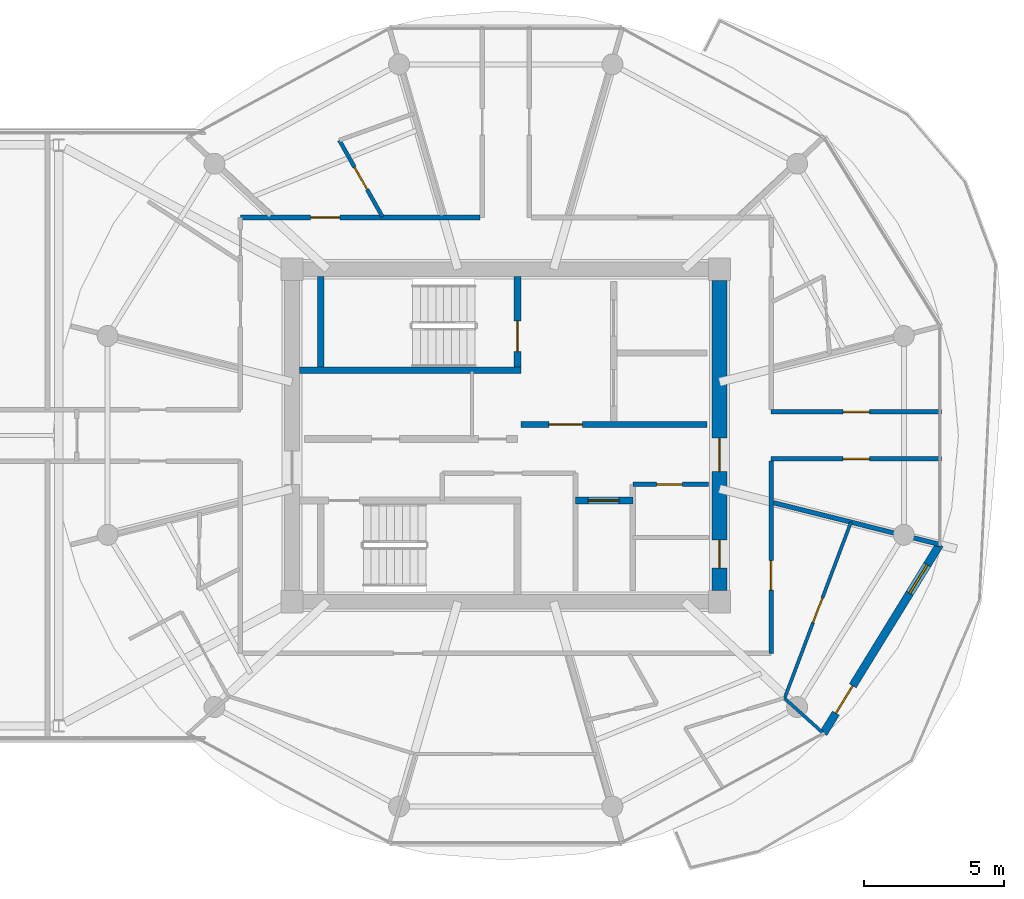
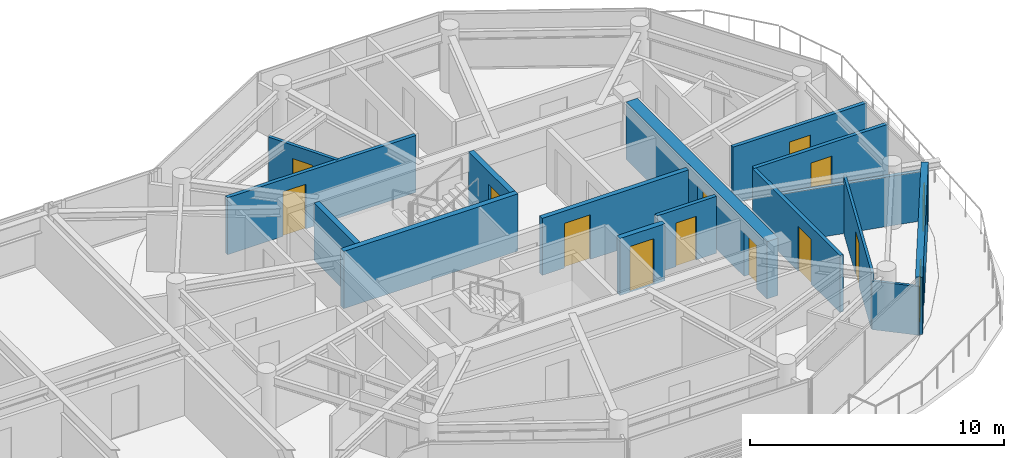
# One storey, part 19 of 23: 16 walls, 13 doors, 1 window, 14 openings.
"""IFC4 building model written with IfcOpenShell, lengths in metres."""

from ifc_helpers import new_model, si_unit, direction, frame, frame_2d, origin, place, context, subcontext, project, spatial, rectangle, extrude, source, transform, mapped, material, layer, layer_set, type_object, type_shapes, element, fill, save


model = new_model("IFC4")

# Units and contexts
model_context = context("Model", 3, precision=1e-05, world=origin(), true_north=direction((0.0, 1.0)))
body_context = subcontext(model_context, "Body", "Model", "MODEL_VIEW")
ifc_project = project(units=[si_unit("LENGTHUNIT", "METRE"), si_unit("AREAUNIT", "SQUARE_METRE"), si_unit("VOLUMEUNIT", "CUBIC_METRE"), si_unit("PLANEANGLEUNIT", "RADIAN"), si_unit("MASSUNIT", "GRAM", prefix="KILO")], contexts=[model_context])

# Site, building, storey
site_placement = place(None, origin())
site = spatial("IfcSite", under=ifc_project, at=site_placement, CompositionType="ELEMENT")
building_placement = place(site_placement, origin())
building = spatial("IfcBuilding", under=site, at=building_placement, Name="Norrkilde Senior Care Towers", CompositionType="ELEMENT")
storey_placement = place(building_placement, frame((0.0, 0.0, 207.800048828125)))
storey = spatial("IfcBuildingStorey", under=building, at=storey_placement, Name="L64", CompositionType="ELEMENT", Elevation=207.800048828125)

# Wall, openings, doors
ifc_material_1 = material(Name="Concrete C50/60", Category="concrete")
ifc_layer_1 = layer(ifc_material_1, 0.52001953125)
ifc_layer_set_1 = layer_set([ifc_layer_1], Name="Concrete C50/60")
wall_type_1 = type_object("IfcWallType", Name="Core Shear Wall Z4 520", PredefinedType="SHEAR", material=ifc_layer_set_1)
shared_shape_1 = source(origin(), body_context, "Body", "SweptSolid", [
    extrude(rectangle(XDim=11.10009765625, YDim=0.52001953125, at=frame_2d((5.550048828125, 0.0))), origin(), (0.0, 0.0, 1.0), 2.760009765625),
])
type_shapes(wall_type_1, [shared_shape_1])
wall_1_placement = place(storey_placement, frame((35.64990234375, 5.550048828125, 0.0), z_axis=(0.0, 0.0, 1.0), x_axis=(0.0, -1.0, 0.0)))
wall_1 = element("IfcWall", 1, at=wall_1_placement, inside=storey, type_object=wall_type_1, Name="L64 Core E East Shear Wall", PredefinedType="SHEAR", context=body_context, shape_type="MappedRepresentation", body=[
    mapped(shared_shape_1, transform((0.0, 0.0, 0.0), x_axis=(1.0, 0.0, 0.0), y_axis=(0.0, 1.0, 0.0), z_axis=(0.0, 0.0, 1.0), scale=1.0)),
])
opening_1_placement = place(wall_1_placement, frame((5.64990234375, 0.0, 0.0)))
opening_1 = element("IfcOpeningElement", 2, at=opening_1_placement, cuts=wall_1, Name="Opening D-04", PredefinedType="OPENING", context=body_context, shape_type="SweptSolid", body=[
    extrude(rectangle(XDim=1.199951171875, YDim=2.14990234375, at=frame_2d((0.60009765625, 1.074951171875))), frame((0.0, 0.27001953125, 0.0), z_axis=(0.0, -1.0, 0.0), x_axis=(1.0, 0.0, 0.0)), (0.0, 0.0, 1.0), 0.5400390625),
])
opening_2_placement = place(wall_1_placement, frame((9.300048828125, 0.0, 0.0)))
opening_2 = element("IfcOpeningElement", 3, at=opening_2_placement, cuts=wall_1, Name="Opening D-10", PredefinedType="OPENING", context=body_context, shape_type="SweptSolid", body=[
    extrude(rectangle(XDim=1.0, YDim=2.10009765625, at=frame_2d((0.5, 1.050048828125))), frame((0.0, 0.27001953125, 0.0), z_axis=(0.0, -1.0, 0.0), x_axis=(1.0, 0.0, 0.0)), (0.0, 0.0, 1.0), 0.5400390625),
])
ifc_material_2 = material(Name="Galvanised Painted Steel", Category="steel")
door_type_1 = type_object("IfcDoorType", Name="Firefighting Lobby Fire Door 1200x2150", OperationType="NOTDEFINED", PredefinedType="DOOR", material=ifc_material_2)
shared_shape_2 = source(origin(), body_context, "Body", "SweptSolid", [
    extrude(rectangle(XDim=1.199951171875, YDim=2.14990234375, at=frame_2d((0.60009765625, 1.074951171875))), frame((0.0, 0.02490234375, 0.0), z_axis=(0.0, -1.0, 0.0), x_axis=(1.0, 0.0, 0.0)), (0.0, 0.0, 1.0), 0.050048828125),
])
type_shapes(door_type_1, [shared_shape_2])
door_1_placement = place(opening_1_placement, frame((1.199951171875, 0.0, 0.0), z_axis=(0.0, 0.0, 1.0), x_axis=(-1.0, 0.0, 0.0)))
door_1 = element("IfcDoor", 4, at=door_1_placement, inside=storey, type_object=door_type_1, Name="L64 Core E East Portal Door", OperationType="SINGLE_SWING_RIGHT", OverallHeight=2.14990234375, OverallWidth=1.199951171875, PredefinedType="DOOR", context=body_context, shape_type="MappedRepresentation", body=[
    mapped(shared_shape_2, transform((0.0, 0.0, 0.0), x_axis=(1.0, 0.0, 0.0), y_axis=(0.0, 1.0, 0.0), z_axis=(0.0, 0.0, 1.0), scale=1.0)),
])
fill(opening_1, door_1)
door_type_2 = type_object("IfcDoorType", Name="Plant and Riser Rated Door 1000x2100", OperationType="NOTDEFINED", PredefinedType="DOOR", material=ifc_material_2)
shared_shape_3 = source(origin(), body_context, "Body", "SweptSolid", [
    extrude(rectangle(XDim=1.0, YDim=2.10009765625, at=frame_2d((0.5, 1.050048828125))), frame((0.0, 0.02490234375, 0.0), z_axis=(0.0, -1.0, 0.0), x_axis=(1.0, 0.0, 0.0)), (0.0, 0.0, 1.0), 0.050048828125),
])
type_shapes(door_type_2, [shared_shape_3])
door_2_placement = place(opening_2_placement, frame((1.0, 0.0, 0.0), z_axis=(0.0, 0.0, 1.0), x_axis=(-1.0, 0.0, 0.0)))
door_2 = element("IfcDoor", 5, at=door_2_placement, inside=storey, type_object=door_type_2, Name="L64 Ventilation Riser E Door", OperationType="SINGLE_SWING_RIGHT", OverallHeight=2.10009765625, OverallWidth=1.0, PredefinedType="DOOR", context=body_context, shape_type="MappedRepresentation", body=[
    mapped(shared_shape_3, transform((0.0, 0.0, 0.0), x_axis=(1.0, 0.0, 0.0), y_axis=(0.0, 1.0, 0.0), z_axis=(0.0, 0.0, 1.0), scale=1.0)),
])
fill(opening_2, door_2)

# Wall, openings, door, window
ifc_material_3 = material(Name="Precast concrete C45/55", Category="concrete")
ifc_layer_2 = layer(ifc_material_3, 0.2900390625)
ifc_layer_set_2 = layer_set([ifc_layer_2], Name="Precast concrete C45/55")
wall_type_2 = type_object("IfcWallType", Name="Winter Garden Facade Wall 290", PredefinedType="SOLIDWALL", material=ifc_layer_set_2)
shared_shape_4 = source(origin(), body_context, "Body", "SweptSolid", [
    extrude(rectangle(XDim=7.938232421875, YDim=0.2900390625, at=frame_2d((3.96923828125, 0.0))), origin(), (0.0, 0.0, 1.0), 2.760009765625),
])
type_shapes(wall_type_2, [shared_shape_4])
wall_2_placement = place(storey_placement, frame((43.531982421875, -3.903076171875, 0.0), z_axis=(0.0, 0.0, 1.0), x_axis=(-0.524244987663, -0.851567491694, 0.0)))
wall_2 = element("IfcWall", 6, at=wall_2_placement, inside=storey, type_object=wall_type_2, Name="L64 Drum E Balcony Access Wall 10", PredefinedType="SOLIDWALL", context=body_context, shape_type="MappedRepresentation", body=[
    mapped(shared_shape_4, transform((0.0, 0.0, 0.0), x_axis=(1.0, 0.0, 0.0), y_axis=(0.0, 1.0, 0.0), z_axis=(0.0, 0.0, 1.0), scale=1.0)),
])
opening_3_placement = place(wall_2_placement, frame((5.93994140625, 0.0, 0.0)))
opening_3 = element("IfcOpeningElement", 7, at=opening_3_placement, cuts=wall_2, Name="Opening D-09", PredefinedType="OPENING", context=body_context, shape_type="SweptSolid", body=[
    extrude(rectangle(XDim=1.14990234375, YDim=2.25, at=frame_2d((0.574951171875, 1.125))), frame((0.0, 0.155029296875, 0.0), z_axis=(0.0, -1.0, 0.0), x_axis=(1.0, 0.0, 0.0)), (0.0, 0.0, 1.0), 0.31005859375),
])
opening_4_placement = place(wall_2_placement, frame((0.85009765625, 0.0, 0.85009765625)))
opening_4 = element("IfcOpeningElement", 8, at=opening_4_placement, cuts=wall_2, Name="Opening WN-07", PredefinedType="OPENING", context=body_context, shape_type="SweptSolid", body=[
    extrude(rectangle(XDim=1.199951171875, YDim=1.5, at=frame_2d((0.60009765625, 0.75))), frame((0.0, 0.155029296875, 0.0), z_axis=(0.0, -1.0, 0.0), x_axis=(1.0, 0.0, 0.0)), (0.0, 0.0, 1.0), 0.31005859375),
])
ifc_material_4 = material(Name="Anodised Aluminium", Category="aluminium")
door_type_3 = type_object("IfcDoorType", Name="Terrace and Balcony Glazed Door 1150x2250", OperationType="NOTDEFINED", PredefinedType="DOOR", material=ifc_material_4)
shared_shape_5 = source(origin(), body_context, "Body", "SweptSolid", [
    extrude(rectangle(XDim=1.14990234375, YDim=2.25, at=frame_2d((0.574951171875, 1.125))), frame((0.0, 0.02490234375, 0.0), z_axis=(0.0, -1.0, 0.0), x_axis=(1.0, 0.0, 0.0)), (0.0, 0.0, 1.0), 0.050048828125),
])
type_shapes(door_type_3, [shared_shape_5])
door_3_placement = place(opening_3_placement, origin())
door_3 = element("IfcDoor", 9, at=door_3_placement, inside=storey, type_object=door_type_3, Name="L64 Drum E Outdoor Terrace Door 10", OperationType="SINGLE_SWING_LEFT", OverallHeight=2.25, OverallWidth=1.14990234375, PredefinedType="DOOR", context=body_context, shape_type="MappedRepresentation", body=[
    mapped(shared_shape_5, transform((0.0, 0.0, 0.0), x_axis=(1.0, 0.0, 0.0), y_axis=(0.0, 1.0, 0.0), z_axis=(0.0, 0.0, 1.0), scale=1.0)),
])
fill(opening_3, door_3)
ifc_material_5 = material(Name="Triple Low-E Insulated Glazing", Category="glass")
window_type = type_object("IfcWindowType", Name="Stairwell Smoke Vent Window 1200x1500", PartitioningType="SINGLE_PANEL", PredefinedType="WINDOW", material=ifc_material_5)
shared_shape_6 = source(origin(), body_context, "Body", "SweptSolid", [
    extrude(rectangle(XDim=1.199951171875, YDim=1.5, at=frame_2d((0.60009765625, 0.75))), frame((0.0, 0.030029296875, 0.0), z_axis=(0.0, -1.0, 0.0), x_axis=(1.0, 0.0, 0.0)), (0.0, 0.0, 1.0), 0.06005859375),
])
type_shapes(window_type, [shared_shape_6])
window_placement = place(opening_4_placement, origin())
window = element("IfcWindow", 10, at=window_placement, inside=storey, type_object=window_type, Name="L64 Drum E Winter Garden Window 10", OverallHeight=1.5, OverallWidth=1.199951171875, PartitioningType="SINGLE_PANEL", PredefinedType="WINDOW", context=body_context, shape_type="MappedRepresentation", body=[
    mapped(shared_shape_6, transform((0.0, 0.0, 0.0), x_axis=(1.0, 0.0, 0.0), y_axis=(0.0, 1.0, 0.0), z_axis=(0.0, 0.0, 1.0), scale=1.0)),
])
fill(opening_4, window)

# Walls
ifc_material_6 = material(Name="Concrete C45/55", Category="concrete")
ifc_layer_3 = layer(ifc_material_6, 0.239990234375)
ifc_layer_set_3 = layer_set([ifc_layer_3], Name="Concrete C45/55")
wall_type_3 = type_object("IfcWallType", Name="Shaft and Stair Enclosure Wall 240", PredefinedType="PARTITIONING", material=ifc_layer_set_3)
shared_shape_7 = source(origin(), body_context, "Body", "SweptSolid", [
    extrude(rectangle(XDim=7.929931640625, YDim=0.239990234375, at=frame_2d((3.96484375, 0.0))), origin(), (0.0, 0.0, 1.0), 2.760009765625),
])
wall_3_placement = place(storey_placement, frame((20.610107421875, 2.330078125, 0.0), z_axis=(0.0, 0.0, 1.0), x_axis=(1.0, 0.0, 0.0)))
element("IfcWall", 11, at=wall_3_placement, inside=storey, type_object=wall_type_3, Name="WL-INT-L64-E-ST1S", PredefinedType="PARTITIONING", context=body_context, shape_type="MappedRepresentation", body=[
    mapped(shared_shape_7, transform((0.0, 0.0, 0.0), x_axis=(1.0, 0.0, 0.0), y_axis=(0.0, 1.0, 0.0), z_axis=(0.0, 0.0, 1.0), scale=1.0)),
])
shared_shape_8 = source(origin(), body_context, "Body", "SweptSolid", [
    extrude(rectangle(XDim=3.239990234375, YDim=0.239990234375, at=frame_2d((1.6201171875, 0.0))), origin(), (0.0, 0.0, 1.0), 2.760009765625),
])
type_shapes(wall_type_3, [shared_shape_7, shared_shape_8])
wall_4_placement = place(storey_placement, frame((21.3798828125, 2.449951171875, 0.0), z_axis=(0.0, 0.0, 1.0), x_axis=(0.0, 1.0, 0.0)))
element("IfcWall", 12, at=wall_4_placement, inside=storey, type_object=wall_type_3, Name="WL-INT-L64-E-ST1W", PredefinedType="PARTITIONING", context=body_context, shape_type="MappedRepresentation", body=[
    mapped(shared_shape_8, transform((0.0, 0.0, 0.0), x_axis=(1.0, 0.0, 0.0), y_axis=(0.0, 1.0, 0.0), z_axis=(0.0, 0.0, 1.0), scale=1.0)),
])

# Wall, opening, door
wall_5_placement = place(storey_placement, frame((28.419921875, 2.449951171875, 0.0), z_axis=(0.0, 0.0, 1.0), x_axis=(0.0, 1.0, 0.0)))
wall_5 = element("IfcWall", 13, at=wall_5_placement, inside=storey, type_object=wall_type_3, Name="WL-INT-L64-E-ST1E", PredefinedType="PARTITIONING", context=body_context, shape_type="MappedRepresentation", body=[
    mapped(shared_shape_8, transform((0.0, 0.0, 0.0), x_axis=(1.0, 0.0, 0.0), y_axis=(0.0, 1.0, 0.0), z_axis=(0.0, 0.0, 1.0), scale=1.0)),
])
opening_5_placement = place(wall_5_placement, frame((0.550048828125, 0.0, 0.0)))
opening_5 = element("IfcOpeningElement", 14, at=opening_5_placement, cuts=wall_5, Name="Opening D-03", PredefinedType="OPENING", context=body_context, shape_type="SweptSolid", body=[
    extrude(rectangle(XDim=1.10009765625, YDim=2.14990234375, at=frame_2d((0.550048828125, 1.074951171875))), frame((0.0, 0.1298828125, 0.0), z_axis=(0.0, -1.0, 0.0), x_axis=(1.0, 0.0, 0.0)), (0.0, 0.0, 1.0), 0.260009765625),
])
door_type_4 = type_object("IfcDoorType", Name="Stairwell Protected Fire Door 1100x2150", OperationType="NOTDEFINED", PredefinedType="DOOR", material=ifc_material_2)
shared_shape_9 = source(origin(), body_context, "Body", "SweptSolid", [
    extrude(rectangle(XDim=1.10009765625, YDim=2.14990234375, at=frame_2d((0.550048828125, 1.074951171875))), frame((0.0, 0.02490234375, 0.0), z_axis=(0.0, -1.0, 0.0), x_axis=(1.0, 0.0, 0.0)), (0.0, 0.0, 1.0), 0.050048828125),
])
type_shapes(door_type_4, [shared_shape_9])
door_4_placement = place(opening_5_placement, origin())
door_4 = element("IfcDoor", 15, at=door_4_placement, inside=storey, type_object=door_type_4, Name="L64 Stair E1 Fire Door", OperationType="SINGLE_SWING_LEFT", OverallHeight=2.14990234375, OverallWidth=1.10009765625, PredefinedType="DOOR", context=body_context, shape_type="MappedRepresentation", body=[
    mapped(shared_shape_9, transform((0.0, 0.0, 0.0), x_axis=(1.0, 0.0, 0.0), y_axis=(0.0, 1.0, 0.0), z_axis=(0.0, 0.0, 1.0), scale=1.0)),
])
fill(opening_5, door_4)

ifc_layer_4 = layer(ifc_material_6, 0.2099609375)
ifc_layer_set_4 = layer_set([ifc_layer_4], Name="Concrete C45/55")
wall_type_4 = type_object("IfcWallType", Name="Firefighting Lobby Wall 210", PredefinedType="PARTITIONING", material=ifc_layer_set_4)
shared_shape_10 = source(origin(), body_context, "Body", "SweptSolid", [
    extrude(rectangle(XDim=6.659912109375, YDim=0.2099609375, at=frame_2d((3.330078125, 0.0))), origin(), (0.0, 0.0, 1.0), 2.744873046875),
])
type_shapes(wall_type_4, [shared_shape_10])
wall_6_placement = place(storey_placement, frame((28.5400390625, 0.389892578125, 0.0), z_axis=(0.0, 0.0, 1.0), x_axis=(1.0, 0.0, 0.0)))
wall_6 = element("IfcWall", 16, at=wall_6_placement, inside=storey, type_object=wall_type_4, Name="WL-INT-L64-E-FFLS", PredefinedType="PARTITIONING", context=body_context, shape_type="MappedRepresentation", body=[
    mapped(shared_shape_10, transform((0.0, 0.0, 0.0), x_axis=(1.0, 0.0, 0.0), y_axis=(0.0, 1.0, 0.0), z_axis=(0.0, 0.0, 1.0), scale=1.0)),
])
opening_6_placement = place(wall_6_placement, frame((1.0, 0.0, 0.0)))
opening_6 = element("IfcOpeningElement", 17, at=opening_6_placement, cuts=wall_6, Name="Opening D-04", PredefinedType="OPENING", context=body_context, shape_type="SweptSolid", body=[
    extrude(rectangle(XDim=1.199951171875, YDim=2.14990234375, at=frame_2d((0.60009765625, 1.074951171875))), frame((0.0, 0.114990234375, 0.0), z_axis=(0.0, -1.0, 0.0), x_axis=(1.0, 0.0, 0.0)), (0.0, 0.0, 1.0), 0.22998046875),
])
door_5_placement = place(opening_6_placement, frame((1.199951171875, 0.0, 0.0), z_axis=(0.0, 0.0, 1.0), x_axis=(-1.0, 0.0, 0.0)))
door_5 = element("IfcDoor", 18, at=door_5_placement, inside=storey, type_object=door_type_1, Name="L64 Firefighting Lobby E Door", OperationType="SINGLE_SWING_LEFT", OverallHeight=2.14990234375, OverallWidth=1.199951171875, PredefinedType="DOOR", context=body_context, shape_type="MappedRepresentation", body=[
    mapped(shared_shape_2, transform((0.0, 0.0, 0.0), x_axis=(1.0, 0.0, 0.0), y_axis=(0.0, 1.0, 0.0), z_axis=(0.0, 0.0, 1.0), scale=1.0)),
])
fill(opening_6, door_5)

ifc_layer_5 = layer(ifc_material_6, 0.239990234375)
ifc_layer_set_5 = layer_set([ifc_layer_5], Name="Concrete C45/55")
wall_type_5 = type_object("IfcWallType", Name="Lift and Plant Rated Enclosure Partition 240", PredefinedType="PARTITIONING", material=ifc_layer_set_5)
shared_shape_11 = source(origin(), body_context, "Body", "SweptSolid", [
    extrude(rectangle(XDim=2.050048828125, YDim=0.239990234375, at=frame_2d((1.02490234375, 0.0))), origin(), (0.0, 0.0, 1.0), 2.744873046875),
])
type_shapes(wall_type_5, [shared_shape_11])
wall_7_placement = place(storey_placement, frame((30.5, -2.330078125, 0.0), z_axis=(0.0, 0.0, 1.0), x_axis=(1.0, 0.0, 0.0)))
wall_7 = element("IfcWall", 19, at=wall_7_placement, inside=storey, type_object=wall_type_5, Name="WL-INT-L64-E-PL4N", PredefinedType="PARTITIONING", context=body_context, shape_type="MappedRepresentation", body=[
    mapped(shared_shape_11, transform((0.0, 0.0, 0.0), x_axis=(1.0, 0.0, 0.0), y_axis=(0.0, 1.0, 0.0), z_axis=(0.0, 0.0, 1.0), scale=1.0)),
])
opening_7_placement = place(wall_7_placement, frame((0.449951171875, 0.0, 0.0)))
opening_7 = element("IfcOpeningElement", 20, at=opening_7_placement, cuts=wall_7, Name="Opening LD-01", PredefinedType="OPENING", context=body_context, shape_type="SweptSolid", body=[
    extrude(rectangle(XDim=1.10009765625, YDim=2.199951171875, at=frame_2d((0.550048828125, 1.10009765625))), frame((0.0, 0.1298828125, 0.0), z_axis=(0.0, -1.0, 0.0), x_axis=(1.0, 0.0, 0.0)), (0.0, 0.0, 1.0), 0.260009765625),
])
ifc_material_7 = material(Name="Stainless Steel", Category="steel")
door_type_5 = type_object("IfcDoorType", Name="Lift Landing Sliding Door 1100x2200", OperationType="NOTDEFINED", PredefinedType="DOOR", material=ifc_material_7)
shared_shape_12 = source(origin(), body_context, "Body", "SweptSolid", [
    extrude(rectangle(XDim=1.10009765625, YDim=2.199951171875, at=frame_2d((0.550048828125, 1.10009765625))), frame((0.0, 0.02490234375, 0.0), z_axis=(0.0, -1.0, 0.0), x_axis=(1.0, 0.0, 0.0)), (0.0, 0.0, 1.0), 0.050048828125),
])
type_shapes(door_type_5, [shared_shape_12])
door_6_placement = place(opening_7_placement, frame((1.10009765625, 0.0, 0.0), z_axis=(0.0, 0.0, 1.0), x_axis=(-1.0, 0.0, 0.0)))
door_6 = element("IfcDoor", 21, at=door_6_placement, inside=storey, type_object=door_type_5, Name="L64 Passenger Lift E4 Landing Door", OperationType="SLIDING_TO_RIGHT", OverallHeight=2.199951171875, OverallWidth=1.10009765625, PredefinedType="DOOR", context=body_context, shape_type="MappedRepresentation", body=[
    mapped(shared_shape_12, transform((0.0, 0.0, 0.0), x_axis=(1.0, 0.0, 0.0), y_axis=(0.0, 1.0, 0.0), z_axis=(0.0, 0.0, 1.0), scale=1.0)),
])
fill(opening_7, door_6)

ifc_material_8 = material(Name="Gypsum Acoustic Board")
ifc_layer_6 = layer(ifc_material_8, 0.1650390625)
ifc_layer_set_6 = layer_set([ifc_layer_6], Name="Gypsum Acoustic Board")
wall_type_6 = type_object("IfcWallType", Name="Corridor Rated Partition 165", PredefinedType="PARTITIONING", material=ifc_layer_set_6)
shared_shape_13 = source(origin(), body_context, "Body", "SweptSolid", [
    extrude(rectangle(XDim=2.699951171875, YDim=0.1650390625, at=frame_2d((1.35009765625, 0.0))), origin(), (0.0, 0.0, 1.0), 2.744873046875),
])
wall_8_placement = place(storey_placement, frame((32.550048828125, -1.75, 0.0), z_axis=(0.0, 0.0, 1.0), x_axis=(1.0, 0.0, 0.0)))
wall_8 = element("IfcWall", 22, at=wall_8_placement, inside=storey, type_object=wall_type_6, Name="WL-INT-L64-E-CSN", PredefinedType="PARTITIONING", context=body_context, shape_type="MappedRepresentation", body=[
    mapped(shared_shape_13, transform((0.0, 0.0, 0.0), x_axis=(1.0, 0.0, 0.0), y_axis=(0.0, 1.0, 0.0), z_axis=(0.0, 0.0, 1.0), scale=1.0)),
])
opening_8_placement = place(wall_8_placement, frame((0.85009765625, 0.0, 0.0)))
opening_8 = element("IfcOpeningElement", 23, at=opening_8_placement, cuts=wall_8, Name="Opening D-12", PredefinedType="OPENING", context=body_context, shape_type="SweptSolid", body=[
    extrude(rectangle(XDim=0.925048828125, YDim=2.10009765625, at=frame_2d((0.46240234375, 1.050048828125))), frame((0.0, 0.092529296875, 0.0), z_axis=(0.0, -1.0, 0.0), x_axis=(1.0, 0.0, 0.0)), (0.0, 0.0, 1.0), 0.18505859375),
])
door_type_6 = type_object("IfcDoorType", Name="Core Wet Room Rated Door 925x2100", OperationType="NOTDEFINED", PredefinedType="DOOR", material=ifc_material_2)
shared_shape_14 = source(origin(), body_context, "Body", "SweptSolid", [
    extrude(rectangle(XDim=0.925048828125, YDim=2.10009765625, at=frame_2d((0.46240234375, 1.050048828125))), frame((0.0, 0.02490234375, 0.0), z_axis=(0.0, -1.0, 0.0), x_axis=(1.0, 0.0, 0.0)), (0.0, 0.0, 1.0), 0.050048828125),
])
type_shapes(door_type_6, [shared_shape_14])
door_7_placement = place(opening_8_placement, origin())
door_7 = element("IfcDoor", 24, at=door_7_placement, inside=storey, type_object=door_type_6, Name="L64 Staff WC E Door", OperationType="SINGLE_SWING_LEFT", OverallHeight=2.10009765625, OverallWidth=0.925048828125, PredefinedType="DOOR", context=body_context, shape_type="MappedRepresentation", body=[
    mapped(shared_shape_14, transform((0.0, 0.0, 0.0), x_axis=(1.0, 0.0, 0.0), y_axis=(0.0, 1.0, 0.0), z_axis=(0.0, 0.0, 1.0), scale=1.0)),
])
fill(opening_8, door_7)

shared_shape_15 = source(origin(), body_context, "Body", "SweptSolid", [
    extrude(rectangle(XDim=8.580078125, YDim=0.1650390625, at=frame_2d((4.2900390625, 0.0))), origin(), (0.0, 0.0, 1.0), 2.744873046875),
])
wall_9_placement = place(storey_placement, frame((18.5, 7.800048828125, 0.0), z_axis=(0.0, 0.0, 1.0), x_axis=(1.0, 0.0, 0.0)))
wall_9 = element("IfcWall", 25, at=wall_9_placement, inside=storey, type_object=wall_type_6, Name="WL-INT-L64-E-CRW-N-0", PredefinedType="PARTITIONING", context=body_context, shape_type="MappedRepresentation", body=[
    mapped(shared_shape_15, transform((0.0, 0.0, 0.0), x_axis=(1.0, 0.0, 0.0), y_axis=(0.0, 1.0, 0.0), z_axis=(0.0, 0.0, 1.0), scale=1.0)),
])
opening_9_placement = place(wall_9_placement, frame((2.5146484375, 0.0, 0.0)))
opening_9 = element("IfcOpeningElement", 26, at=opening_9_placement, cuts=wall_9, Name="Opening D-06", PredefinedType="OPENING", context=body_context, shape_type="SweptSolid", body=[
    extrude(rectangle(XDim=1.050048828125, YDim=2.14990234375, at=frame_2d((0.52490234375, 1.074951171875))), frame((0.0, 0.092529296875, 0.0), z_axis=(0.0, -1.0, 0.0), x_axis=(1.0, 0.0, 0.0)), (0.0, 0.0, 1.0), 0.18505859375),
])
ifc_material_9 = material(Name="Nordic Ash Timber", Category="wood")
door_type_7 = type_object("IfcDoorType", Name="Apartment Entrance Fire Door 1050x2150", OperationType="NOTDEFINED", PredefinedType="DOOR", material=ifc_material_9)
shared_shape_16 = source(origin(), body_context, "Body", "SweptSolid", [
    extrude(rectangle(XDim=1.050048828125, YDim=2.14990234375, at=frame_2d((0.52490234375, 1.074951171875))), frame((0.0, 0.02490234375, 0.0), z_axis=(0.0, -1.0, 0.0), x_axis=(1.0, 0.0, 0.0)), (0.0, 0.0, 1.0), 0.050048828125),
])
type_shapes(door_type_7, [shared_shape_16])
door_8_placement = place(opening_9_placement, frame((1.050048828125, 0.0, 0.0), z_axis=(0.0, 0.0, 1.0), x_axis=(-1.0, 0.0, 0.0)))
door_8 = element("IfcDoor", 27, at=door_8_placement, inside=storey, type_object=door_type_7, Name="L64 Studio 64C Entrance Door", OperationType="SINGLE_SWING_LEFT", OverallHeight=2.14990234375, OverallWidth=1.050048828125, PredefinedType="DOOR", context=body_context, shape_type="MappedRepresentation", body=[
    mapped(shared_shape_16, transform((0.0, 0.0, 0.0), x_axis=(1.0, 0.0, 0.0), y_axis=(0.0, 1.0, 0.0), z_axis=(0.0, 0.0, 1.0), scale=1.0)),
])
fill(opening_9, door_8)

shared_shape_17 = source(origin(), body_context, "Body", "SweptSolid", [
    extrude(rectangle(XDim=6.880126953125, YDim=0.1650390625, at=frame_2d((3.43994140625, 0.0))), origin(), (0.0, 0.0, 1.0), 2.744873046875),
])
wall_10_placement = place(storey_placement, frame((37.5, -0.919921875, 0.0), z_axis=(0.0, 0.0, 1.0), x_axis=(0.0, -1.0, 0.0)))
wall_10 = element("IfcWall", 28, at=wall_10_placement, inside=storey, type_object=wall_type_6, Name="WL-INT-L64-E-CRW-E-1", PredefinedType="PARTITIONING", context=body_context, shape_type="MappedRepresentation", body=[
    mapped(shared_shape_17, transform((0.0, 0.0, 0.0), x_axis=(1.0, 0.0, 0.0), y_axis=(0.0, 1.0, 0.0), z_axis=(0.0, 0.0, 1.0), scale=1.0)),
])
opening_10_placement = place(wall_10_placement, frame((3.564208984375, 0.0, 0.0)))
opening_10 = element("IfcOpeningElement", 29, at=opening_10_placement, cuts=wall_10, Name="Opening D-06", PredefinedType="OPENING", context=body_context, shape_type="SweptSolid", body=[
    extrude(rectangle(XDim=1.050048828125, YDim=2.14990234375, at=frame_2d((0.52490234375, 1.074951171875))), frame((0.0, 0.092529296875, 0.0), z_axis=(0.0, -1.0, 0.0), x_axis=(1.0, 0.0, 0.0)), (0.0, 0.0, 1.0), 0.18505859375),
])
door_9_placement = place(opening_10_placement, frame((1.050048828125, 0.0, 0.0), z_axis=(0.0, 0.0, 1.0), x_axis=(-1.0, 0.0, 0.0)))
door_9 = element("IfcDoor", 30, at=door_9_placement, inside=storey, type_object=door_type_7, Name="Apartment 64F Entrance Door", OperationType="SINGLE_SWING_RIGHT", OverallHeight=2.14990234375, OverallWidth=1.050048828125, PredefinedType="DOOR", context=body_context, shape_type="MappedRepresentation", body=[
    mapped(shared_shape_16, transform((0.0, 0.0, 0.0), x_axis=(1.0, 0.0, 0.0), y_axis=(0.0, 1.0, 0.0), z_axis=(0.0, 0.0, 1.0), scale=1.0)),
])
fill(opening_10, door_9)

# Wall
shared_shape_18 = source(origin(), body_context, "Body", "SweptSolid", [
    extrude(rectangle(XDim=6.1572265625, YDim=0.1650390625, at=frame_2d((3.07861328125, 0.0))), origin(), (0.0, 0.0, 1.0), 2.385009765625),
])
wall_11_placement = place(storey_placement, frame((37.580078125, -2.407470703125, 0.0), z_axis=(0.0, 0.0, 1.0), x_axis=(0.969840867184, -0.243738984038, 0.0)))
element("IfcWall", 31, at=wall_11_placement, inside=storey, type_object=wall_type_6, Name="WL-INT-L64-E-DEM-11-0", PredefinedType="PARTITIONING", context=body_context, shape_type="MappedRepresentation", body=[
    mapped(shared_shape_18, transform((0.0, 0.0, 0.0), x_axis=(1.0, 0.0, 0.0), y_axis=(0.0, 1.0, 0.0), z_axis=(0.0, 0.0, 1.0), scale=1.0)),
])

# Wall, opening, door
shared_shape_19 = source(origin(), body_context, "Body", "SweptSolid", [
    extrude(rectangle(XDim=6.101318359375, YDim=0.1650390625, at=frame_2d((3.05078125, 0.0))), origin(), (0.0, 0.0, 1.0), 2.744873046875),
])
type_shapes(wall_type_6, [shared_shape_13, shared_shape_15, shared_shape_17, shared_shape_18, shared_shape_19])
wall_12_placement = place(storey_placement, frame((37.5, 0.840087890625, 0.0), z_axis=(0.0, 0.0, 1.0), x_axis=(1.0, 0.0, 0.0)))
wall_12 = element("IfcWall", 32, at=wall_12_placement, inside=storey, type_object=wall_type_6, Name="WL-INT-L64-E-SPK-E1-0", PredefinedType="PARTITIONING", context=body_context, shape_type="MappedRepresentation", body=[
    mapped(shared_shape_19, transform((0.0, 0.0, 0.0), x_axis=(1.0, 0.0, 0.0), y_axis=(0.0, 1.0, 0.0), z_axis=(0.0, 0.0, 1.0), scale=1.0)),
])
opening_11_placement = place(wall_12_placement, frame((2.57568359375, 0.0, 0.0)))
opening_11 = element("IfcOpeningElement", 33, at=opening_11_placement, cuts=wall_12, Name="Opening D-07", PredefinedType="OPENING", context=body_context, shape_type="SweptSolid", body=[
    extrude(rectangle(XDim=0.949951171875, YDim=2.10009765625, at=frame_2d((0.47509765625, 1.050048828125))), frame((0.0, 0.092529296875, 0.0), z_axis=(0.0, -1.0, 0.0), x_axis=(1.0, 0.0, 0.0)), (0.0, 0.0, 1.0), 0.18505859375),
])
door_type_8 = type_object("IfcDoorType", Name="Internal Suite Bedroom Door 950x2100", OperationType="NOTDEFINED", PredefinedType="DOOR", material=ifc_material_9)
shared_shape_20 = source(origin(), body_context, "Body", "SweptSolid", [
    extrude(rectangle(XDim=0.949951171875, YDim=2.10009765625, at=frame_2d((0.47509765625, 1.050048828125))), frame((0.0, 0.02490234375, 0.0), z_axis=(0.0, -1.0, 0.0), x_axis=(1.0, 0.0, 0.0)), (0.0, 0.0, 1.0), 0.050048828125),
])
type_shapes(door_type_8, [shared_shape_20])
door_10_placement = place(opening_11_placement, frame((0.949951171875, 0.0, 0.0), z_axis=(0.0, 0.0, 1.0), x_axis=(-1.0, 0.0, 0.0)))
door_10 = element("IfcDoor", 34, at=door_10_placement, inside=storey, type_object=door_type_8, Name="L64 Sun Reading Lounge 6 Door", OperationType="SINGLE_SWING_LEFT", OverallHeight=2.10009765625, OverallWidth=0.949951171875, PredefinedType="DOOR", context=body_context, shape_type="MappedRepresentation", body=[
    mapped(shared_shape_20, transform((0.0, 0.0, 0.0), x_axis=(1.0, 0.0, 0.0), y_axis=(0.0, 1.0, 0.0), z_axis=(0.0, 0.0, 1.0), scale=1.0)),
])
fill(opening_11, door_10)

wall_13_placement = place(storey_placement, frame((43.601318359375, -0.840087890625, 0.0), z_axis=(0.0, 0.0, 1.0), x_axis=(-1.0, 0.0, 0.0)))
wall_13 = element("IfcWall", 35, at=wall_13_placement, inside=storey, type_object=wall_type_6, Name="WL-INT-L64-E-SPK-E2-0", PredefinedType="PARTITIONING", context=body_context, shape_type="MappedRepresentation", body=[
    mapped(shared_shape_19, transform((0.0, 0.0, 0.0), x_axis=(1.0, 0.0, 0.0), y_axis=(0.0, 1.0, 0.0), z_axis=(0.0, 0.0, 1.0), scale=1.0)),
])
opening_12_placement = place(wall_13_placement, frame((2.57568359375, 0.0, 0.0)))
opening_12 = element("IfcOpeningElement", 36, at=opening_12_placement, cuts=wall_13, Name="Opening D-07", PredefinedType="OPENING", context=body_context, shape_type="SweptSolid", body=[
    extrude(rectangle(XDim=0.949951171875, YDim=2.10009765625, at=frame_2d((0.47509765625, 1.050048828125))), frame((0.0, 0.092529296875, 0.0), z_axis=(0.0, -1.0, 0.0), x_axis=(1.0, 0.0, 0.0)), (0.0, 0.0, 1.0), 0.18505859375),
])
door_11_placement = place(opening_12_placement, frame((0.949951171875, 0.0, 0.0), z_axis=(0.0, 0.0, 1.0), x_axis=(-1.0, 0.0, 0.0)))
door_11 = element("IfcDoor", 37, at=door_11_placement, inside=storey, type_object=door_type_8, Name="L64 Sun Reading Lounge 5 Door", OperationType="SINGLE_SWING_RIGHT", OverallHeight=2.10009765625, OverallWidth=0.949951171875, PredefinedType="DOOR", context=body_context, shape_type="MappedRepresentation", body=[
    mapped(shared_shape_20, transform((0.0, 0.0, 0.0), x_axis=(1.0, 0.0, 0.0), y_axis=(0.0, 1.0, 0.0), z_axis=(0.0, 0.0, 1.0), scale=1.0)),
])
fill(opening_12, door_11)

ifc_layer_7 = layer(ifc_material_8, 0.139892578125)
ifc_layer_set_7 = layer_set([ifc_layer_7], Name="Gypsum Acoustic Board")
wall_type_7 = type_object("IfcWallType", Name="En-suite Wet Room Wall 140", PredefinedType="PARTITIONING", material=ifc_layer_set_7)
shared_shape_21 = source(origin(), body_context, "Body", "SweptSolid", [
    extrude(rectangle(XDim=3.14013671875, YDim=0.139892578125, at=frame_2d((1.570068359375, 0.0))), origin(), (0.0, 0.0, 1.0), 2.744873046875),
])
type_shapes(wall_type_7, [shared_shape_21])
wall_14_placement = place(storey_placement, frame((23.5849609375, 7.830078125, 0.0), z_axis=(0.0, 0.0, 1.0), x_axis=(-0.491132137966, 0.871085083707, 0.0)))
wall_14 = element("IfcWall", 38, at=wall_14_placement, inside=storey, type_object=wall_type_7, Name="WL-INT-L64-E-ES-03", PredefinedType="PARTITIONING", context=body_context, shape_type="MappedRepresentation", body=[
    mapped(shared_shape_21, transform((0.0, 0.0, 0.0), x_axis=(1.0, 0.0, 0.0), y_axis=(0.0, 1.0, 0.0), z_axis=(0.0, 0.0, 1.0), scale=1.0)),
])
opening_13_placement = place(wall_14_placement, frame((1.110107421875, 0.0, 0.0)))
opening_13 = element("IfcOpeningElement", 39, at=opening_13_placement, cuts=wall_14, Name="Opening D-08", PredefinedType="OPENING", context=body_context, shape_type="SweptSolid", body=[
    extrude(rectangle(XDim=0.919921875, YDim=2.10009765625, at=frame_2d((0.4599609375, 1.050048828125))), frame((0.0, 0.079833984375, 0.0), z_axis=(0.0, -1.0, 0.0), x_axis=(1.0, 0.0, 0.0)), (0.0, 0.0, 1.0), 0.159912109375),
])
door_type_9 = type_object("IfcDoorType", Name="Accessible Wet Room Door 920x2100", OperationType="NOTDEFINED", PredefinedType="DOOR", material=ifc_material_9)
shared_shape_22 = source(origin(), body_context, "Body", "SweptSolid", [
    extrude(rectangle(XDim=0.919921875, YDim=2.10009765625, at=frame_2d((0.4599609375, 1.050048828125))), frame((0.0, 0.02490234375, 0.0), z_axis=(0.0, -1.0, 0.0), x_axis=(1.0, 0.0, 0.0)), (0.0, 0.0, 1.0), 0.050048828125),
])
type_shapes(door_type_9, [shared_shape_22])
door_12_placement = place(opening_13_placement, origin())
door_12 = element("IfcDoor", 40, at=door_12_placement, inside=storey, type_object=door_type_9, Name="L64 Studio 64C Bathroom Door", OperationType="SINGLE_SWING_RIGHT", OverallHeight=2.10009765625, OverallWidth=0.919921875, PredefinedType="DOOR", context=body_context, shape_type="MappedRepresentation", body=[
    mapped(shared_shape_22, transform((0.0, 0.0, 0.0), x_axis=(1.0, 0.0, 0.0), y_axis=(0.0, 1.0, 0.0), z_axis=(0.0, 0.0, 1.0), scale=1.0)),
])
fill(opening_13, door_12)

ifc_layer_8 = layer(ifc_material_8, 0.114990234375)
ifc_layer_set_8 = layer_set([ifc_layer_8], Name="Gypsum Acoustic Board")
wall_type_8 = type_object("IfcWallType", Name="Internal Room Partition 115", PredefinedType="PARTITIONING", material=ifc_layer_set_8)
shared_shape_23 = source(origin(), body_context, "Body", "SweptSolid", [
    extrude(rectangle(XDim=6.738037109375, YDim=0.114990234375, at=frame_2d((3.369140625, 0.0))), origin(), (0.0, 0.0, 1.0), 2.744873046875),
])
wall_15_placement = place(storey_placement, frame((37.977783203125, -9.408935546875, 0.0), z_axis=(0.0, 0.0, 1.0), x_axis=(0.352945344347, 0.935643940772, 0.0)))
wall_15 = element("IfcWall", 41, at=wall_15_placement, inside=storey, type_object=wall_type_8, Name="WL-INT-L64-E-UBC-09-1", PredefinedType="PARTITIONING", context=body_context, shape_type="MappedRepresentation", body=[
    mapped(shared_shape_23, transform((0.0, 0.0, 0.0), x_axis=(1.0, 0.0, 0.0), y_axis=(0.0, 1.0, 0.0), z_axis=(0.0, 0.0, 1.0), scale=1.0)),
])
opening_14_placement = place(wall_15_placement, frame((2.89404296875, 0.0, 0.0)))
opening_14 = element("IfcOpeningElement", 42, at=opening_14_placement, cuts=wall_15, Name="Opening D-07", PredefinedType="OPENING", context=body_context, shape_type="SweptSolid", body=[
    extrude(rectangle(XDim=0.949951171875, YDim=2.10009765625, at=frame_2d((0.47509765625, 1.050048828125))), frame((0.0, 0.0673828125, 0.0), z_axis=(0.0, -1.0, 0.0), x_axis=(1.0, 0.0, 0.0)), (0.0, 0.0, 1.0), 0.135009765625),
])
door_13_placement = place(opening_14_placement, origin())
door_13 = element("IfcDoor", 43, at=door_13_placement, inside=storey, type_object=door_type_8, Name="Apartment 64F Bedroom 1 Door", OperationType="SINGLE_SWING_LEFT", OverallHeight=2.10009765625, OverallWidth=0.949951171875, PredefinedType="DOOR", context=body_context, shape_type="MappedRepresentation", body=[
    mapped(shared_shape_20, transform((0.0, 0.0, 0.0), x_axis=(1.0, 0.0, 0.0), y_axis=(0.0, 1.0, 0.0), z_axis=(0.0, 0.0, 1.0), scale=1.0)),
])
fill(opening_14, door_13)

# Wall
shared_shape_24 = source(origin(), body_context, "Body", "SweptSolid", [
    extrude(rectangle(XDim=1.89404296875, YDim=0.114990234375, at=frame_2d((0.947021484375, 0.0))), origin(), (0.0, 0.0, 1.0), 2.344970703125),
])
type_shapes(wall_type_8, [shared_shape_23, shared_shape_24])
wall_16_placement = place(storey_placement, frame((37.977783203125, -9.408935546875, 0.0), z_axis=(0.0, 0.0, 1.0), x_axis=(0.742704207382, -0.669619638554, 0.0)))
element("IfcWall", 44, at=wall_16_placement, inside=storey, type_object=wall_type_8, Name="WL-INT-L64-E-UBR-09-1", PredefinedType="PARTITIONING", context=body_context, shape_type="MappedRepresentation", body=[
    mapped(shared_shape_24, transform((0.0, 0.0, 0.0), x_axis=(1.0, 0.0, 0.0), y_axis=(0.0, 1.0, 0.0), z_axis=(0.0, 0.0, 1.0), scale=1.0)),
])

save(model, "model.ifc")
